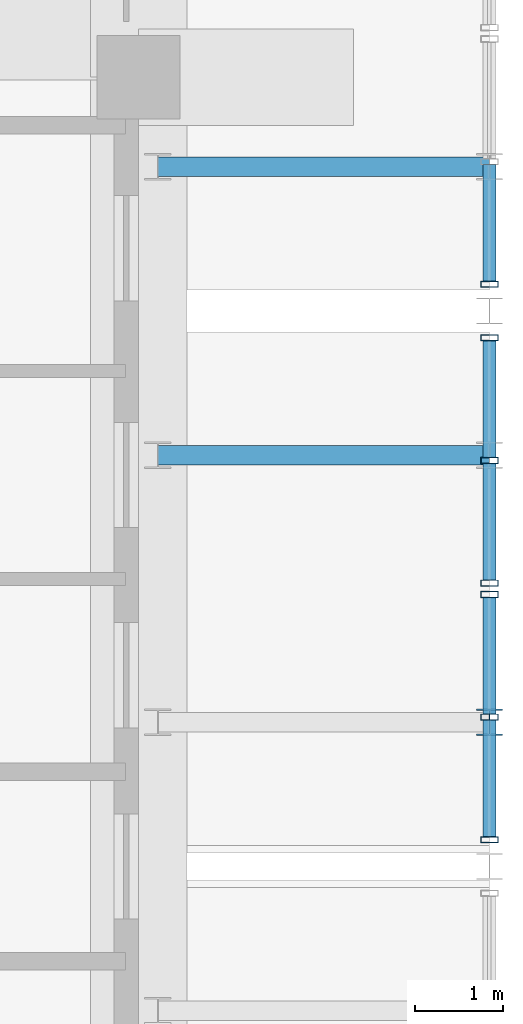
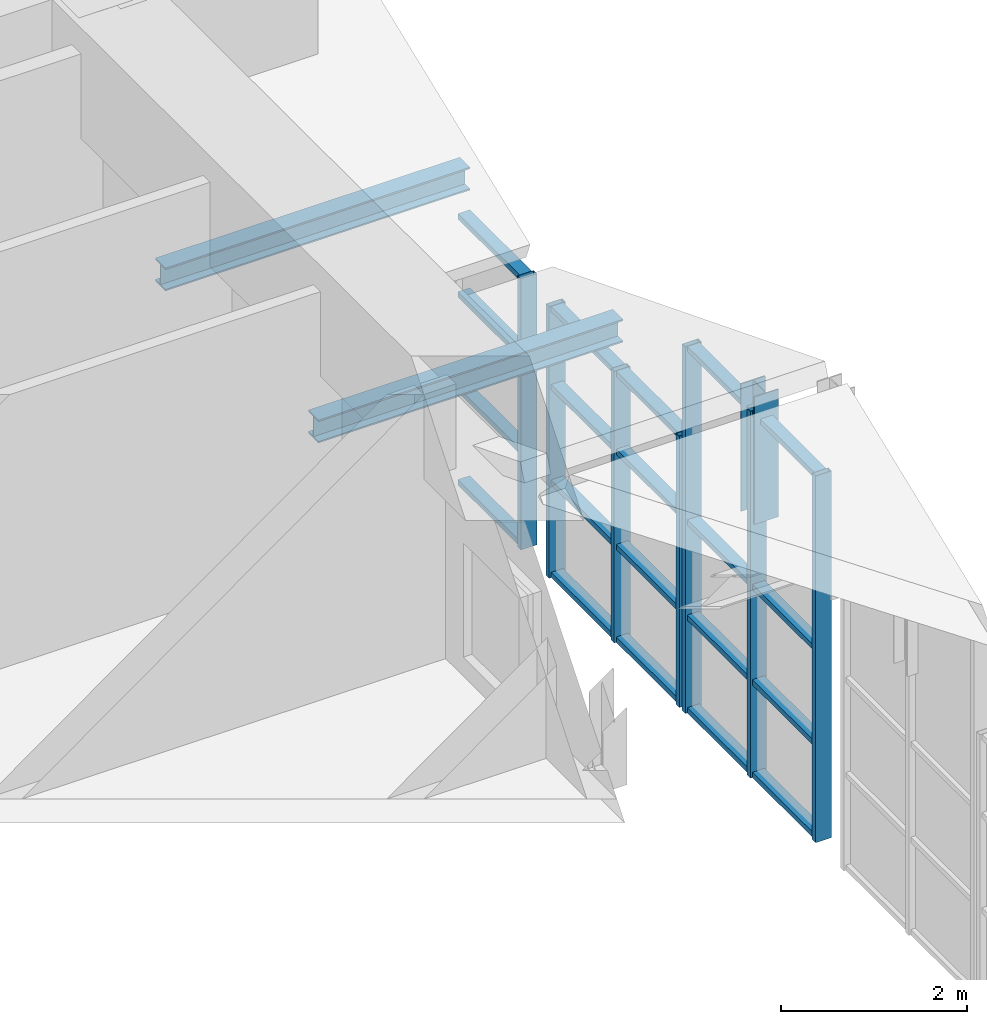
# One storey, part 18 of 45: 30 members, 3 elements without a shape of their own.
"""IFC4 building model written with IfcOpenShell, lengths in metres."""

from ifc_helpers import new_model, si_unit, direction, frame, origin, origin_2d, place, context, subcontext, project, spatial, hollow_rectangle, i_section, extrude, source, transform, mapped, material, layer, layer_set, material_profile, profile_set, type_object, element, aggregate, save


model = new_model("IFC4")

# Units and contexts
model_context = context("Model", 3, precision=1e-05, world=origin(), true_north=direction((0.0, 1.0)))
body_context = subcontext(model_context, "Body", "Model", "MODEL_VIEW")
ifc_project = project(units=[si_unit("LENGTHUNIT", "METRE"), si_unit("AREAUNIT", "SQUARE_METRE"), si_unit("VOLUMEUNIT", "CUBIC_METRE"), si_unit("PLANEANGLEUNIT", "RADIAN"), si_unit("MASSUNIT", "GRAM", prefix="KILO")], contexts=[model_context])

# Site, building, storey
site_placement = place(None, origin())
site = spatial("IfcSite", under=ifc_project, at=site_placement, CompositionType="ELEMENT")
building_placement = place(site_placement, origin())
building = spatial("IfcBuilding", under=site, at=building_placement, Name="Saelheon Loggia Tower", CompositionType="ELEMENT")
storey_placement = place(building_placement, frame((0.0, 0.0, 152.199951171875)))
storey = spatial("IfcBuildingStorey", under=building, at=storey_placement, Name="L48", CompositionType="ELEMENT", Elevation=152.199951171875)

# Members
ifc_material_1 = material(Name="Steel SM355", Category="steel")
ifc_material_profile_1 = material_profile(ifc_material_1, i_section(OverallWidth=0.219970703125, OverallDepth=0.300048828125, WebThickness=0.011962890625, FlangeThickness=0.02001953125, at=origin_2d()), Name="H-300x220x12x20")
ifc_profile_set_1 = profile_set([ifc_material_profile_1], Name="Steel SM355")
member_type_1 = type_object("IfcMemberType", Name="Roof_ShoulderPurlin_RHS300", PredefinedType="PURLIN", material=ifc_profile_set_1)
shared_shape_1 = source(origin(), body_context, "Body", "SweptSolid", [
    extrude(i_section(OverallWidth=0.219970703125, OverallDepth=0.300048828125, WebThickness=0.011962890625, FlangeThickness=0.02001953125, at=origin_2d()), origin(), (0.0, 0.0, 1.0), 3.780029296875),
])
for number, where, z_axis, x_axis, name in (
    (1, (64.0, 31.6884765625, 0.6220703125), (-1.0, 0.0, 0.0), (0.0, -1.0, 0.0), "Tier 1 Wave Crest Rafter E 04 B"),
    (2, (64.0, 34.97802734375, 0.6220703125), (-1.0, 0.0, 0.0), (0.0, -1.0, 0.0), "Tier 1 Wave Crest Rafter E 05 A"),
):
    element("IfcMember", number, at=place(storey_placement, frame(where, z_axis=z_axis, x_axis=x_axis)), inside=storey, type_object=member_type_1, Name=name, PredefinedType="PURLIN", context=body_context, shape_type="MappedRepresentation", body=[
        mapped(shared_shape_1, transform((0.0, 0.0, 0.0), scale=1.0)),
    ])
ifc_material_profile_2 = material_profile(ifc_material_1, i_section(OverallWidth=0.300048828125, OverallDepth=0.300048828125, WebThickness=0.010009765625, FlangeThickness=0.014892578125, at=origin_2d()), Name="H-300x300x10x15")
ifc_profile_set_2 = profile_set([ifc_material_profile_2], Name="Steel SM355")
member_type_2 = type_object("IfcMemberType", Name="WaveCrest_Post_H300", PredefinedType="POST", material=ifc_profile_set_2)
shared_shape_2 = source(origin(), body_context, "Body", "SweptSolid", [
    extrude(i_section(OverallWidth=0.300048828125, OverallDepth=0.300048828125, WebThickness=0.010009765625, FlangeThickness=0.014892578125, at=origin_2d()), origin(), (0.0, 0.0, 1.0), 1.673583984375),
])
member_1_placement = place(storey_placement, frame((64.0, 28.644775390625, 0.0), z_axis=(0.0, 0.0, 1.0), x_axis=(1.0, 0.0, 0.0)))
element("IfcMember", 3, at=member_1_placement, inside=storey, type_object=member_type_2, Name="Tier 1 Rafter Outer Upper Post E 04", PredefinedType="POST", context=body_context, shape_type="MappedRepresentation", body=[
    mapped(shared_shape_2, transform((0.0, 0.0, 0.0), scale=1.0)),
])

# Curtain wall, members
ifc_material_2 = material(Name="Bronze-Anodised Aluminium and Fritted Ceramic Screen", Category="aluminium")
ifc_layer = layer(ifc_material_2, 0.219970703125)
ifc_layer_set = layer_set([ifc_layer], Name="Bronze-Anodised Aluminium and Fritted Ceramic Screen")
curtain_wall_type = type_object("IfcCurtainWallType", Name="CW_CrownScreen", PredefinedType="NOTDEFINED", material=ifc_layer_set)
curtain_wall_1_placement = place(storey_placement, origin())
curtain_wall_1 = element("IfcCurtainWall", 4, at=curtain_wall_1_placement, inside=storey, type_object=curtain_wall_type, Name="Tier 1 Wave Crest Glazing E 04-2", PredefinedType="NOTDEFINED")
ifc_material_3 = material(Name="Bronze-Anodised Aluminium 6063-T6", Category="aluminium")
ifc_material_profile_3 = material_profile(ifc_material_3, hollow_rectangle(XDim=0.070068359375, YDim=0.199951171875, WallThickness=0.0048828125, at=origin_2d()), Name="RHS-200x70x5")
ifc_profile_set_3 = profile_set([ifc_material_profile_3], Name="Bronze-Anodised Aluminium 6063-T6")
member_type_3 = type_object("IfcMemberType", Name="CW_CrownScreen_Mullion", PredefinedType="MULLION", material=ifc_profile_set_3)
shared_shape_3 = source(origin(), body_context, "Body", "SweptSolid", [
    extrude(hollow_rectangle(XDim=0.070068359375, YDim=0.199951171875, WallThickness=0.0048828125, at=origin_2d()), origin(), (0.0, 0.0, 1.0), 3.56005859375),
])
member_2_placement = place(storey_placement, frame((64.0, 30.231689453125, -3.449951171875), z_axis=(0.0, 0.0, 1.0), x_axis=(0.0, 1.0, 0.0)))
member_2 = element("IfcMember", 5, at=member_2_placement, type_object=member_type_3, Name="CW6 mullion 1", PredefinedType="MULLION", context=body_context, shape_type="MappedRepresentation", body=[
    mapped(shared_shape_3, transform((0.0, 0.0, 0.0), scale=1.0)),
])
member_3_placement = place(storey_placement, frame((64.0, 31.6298828125, -3.449951171875), z_axis=(0.0, 0.0, 1.0), x_axis=(0.0, 1.0, 0.0)))
member_3 = element("IfcMember", 6, at=member_3_placement, type_object=member_type_3, Name="CW6 mullion 2", PredefinedType="MULLION", context=body_context, shape_type="MappedRepresentation", body=[
    mapped(shared_shape_3, transform((0.0, 0.0, 0.0), scale=1.0)),
])
member_4_placement = place(storey_placement, frame((64.0, 33.0283203125, -3.449951171875), z_axis=(0.0, 0.0, 1.0), x_axis=(0.0, 1.0, 0.0)))
member_4 = element("IfcMember", 7, at=member_4_placement, type_object=member_type_3, Name="CW6 mullion 3", PredefinedType="MULLION", context=body_context, shape_type="MappedRepresentation", body=[
    mapped(shared_shape_3, transform((0.0, 0.0, 0.0), scale=1.0)),
])

# Curtain wall, member
curtain_wall_2_placement = place(storey_placement, origin())
curtain_wall_2 = element("IfcCurtainWall", 8, at=curtain_wall_2_placement, inside=storey, type_object=curtain_wall_type, Name="Tier 1 Wave Crest Glazing E 05-1", PredefinedType="NOTDEFINED")
member_5_placement = place(storey_placement, frame((64.0, 33.63818359375, -3.449951171875), z_axis=(0.0, 0.0, 1.0), x_axis=(0.0, 1.0, 0.0)))
member_5 = element("IfcMember", 9, at=member_5_placement, type_object=member_type_3, Name="CW6 mullion 1", PredefinedType="MULLION", context=body_context, shape_type="MappedRepresentation", body=[
    mapped(shared_shape_3, transform((0.0, 0.0, 0.0), scale=1.0)),
])

# Curtain wall, members
curtain_wall_3_placement = place(storey_placement, origin())
curtain_wall_3 = element("IfcCurtainWall", 10, at=curtain_wall_3_placement, inside=storey, type_object=curtain_wall_type, Name="Tier 1 Wave Crest Glazing E 04-1", PredefinedType="NOTDEFINED")
ifc_material_profile_4 = material_profile(ifc_material_3, hollow_rectangle(XDim=0.070068359375, YDim=0.14990234375, WallThickness=0.0048828125, at=origin_2d()), Name="RHS-150x70x5")
ifc_profile_set_4 = profile_set([ifc_material_profile_4], Name="Bronze-Anodised Aluminium 6063-T6")
member_type_4 = type_object("IfcMemberType", Name="CW_CrownScreen_Transom", PredefinedType="USERDEFINED", material=ifc_profile_set_4)
shared_shape_4 = source(origin(), body_context, "Body", "SweptSolid", [
    extrude(hollow_rectangle(XDim=0.070068359375, YDim=0.14990234375, WallThickness=0.0048828125, at=origin_2d()), origin(), (0.0, 0.0, 1.0), 1.328369140625),
])
member_6_placement = place(storey_placement, frame((64.0, 28.73828125, -3.4150390625), z_axis=(0.0, 1.0, 0.0), x_axis=(0.0, 0.0, 1.0)))
member_6 = element("IfcMember", 11, at=member_6_placement, type_object=member_type_4, Name="CW6 transom 2.1", ObjectType="TRANSOM", PredefinedType="USERDEFINED", context=body_context, shape_type="MappedRepresentation", body=[
    mapped(shared_shape_4, transform((0.0, 0.0, 0.0), scale=1.0)),
])
member_7_placement = place(storey_placement, frame((64.0, 28.73828125, -2.199951171875), z_axis=(0.0, 1.0, 0.0), x_axis=(0.0, 0.0, 1.0)))
member_7 = element("IfcMember", 12, at=member_7_placement, type_object=member_type_4, Name="CW6 transom 2.2", ObjectType="TRANSOM", PredefinedType="USERDEFINED", context=body_context, shape_type="MappedRepresentation", body=[
    mapped(shared_shape_4, transform((0.0, 0.0, 0.0), scale=1.0)),
])
member_8_placement = place(storey_placement, frame((64.0, 28.73828125, -0.949951171875), z_axis=(0.0, 1.0, 0.0), x_axis=(0.0, 0.0, 1.0)))
member_8 = element("IfcMember", 13, at=member_8_placement, type_object=member_type_4, Name="CW6 transom 2.3", ObjectType="TRANSOM", PredefinedType="USERDEFINED", context=body_context, shape_type="MappedRepresentation", body=[
    mapped(shared_shape_4, transform((0.0, 0.0, 0.0), scale=1.0)),
])
member_9_placement = place(storey_placement, frame((64.0, 28.73828125, 1.324951171875), z_axis=(0.0, 1.0, 0.0), x_axis=(0.0, 0.0, 1.0)))
member_9 = element("IfcMember", 14, at=member_9_placement, type_object=member_type_4, Name="CW6 transom 2.4", ObjectType="TRANSOM", PredefinedType="USERDEFINED", context=body_context, shape_type="MappedRepresentation", body=[
    mapped(shared_shape_4, transform((0.0, 0.0, 0.0), scale=1.0)),
])

# Member
member_10_placement = place(storey_placement, frame((64.0, 30.2666015625, -3.4150390625), z_axis=(0.0, 1.0, 0.0), x_axis=(0.0, 0.0, 1.0)))
member_10 = element("IfcMember", 15, at=member_10_placement, type_object=member_type_4, Name="CW6 transom 1.1", ObjectType="TRANSOM", PredefinedType="USERDEFINED", context=body_context, shape_type="MappedRepresentation", body=[
    mapped(shared_shape_4, transform((0.0, 0.0, 0.0), scale=1.0)),
])

member_11_placement = place(storey_placement, frame((64.0, 30.2666015625, -2.199951171875), z_axis=(0.0, 1.0, 0.0), x_axis=(0.0, 0.0, 1.0)))
member_11 = element("IfcMember", 16, at=member_11_placement, type_object=member_type_4, Name="CW6 transom 1.2", ObjectType="TRANSOM", PredefinedType="USERDEFINED", context=body_context, shape_type="MappedRepresentation", body=[
    mapped(shared_shape_4, transform((0.0, 0.0, 0.0), scale=1.0)),
])

member_12_placement = place(storey_placement, frame((64.0, 30.2666015625, -0.949951171875), z_axis=(0.0, 1.0, 0.0), x_axis=(0.0, 0.0, 1.0)))
member_12 = element("IfcMember", 17, at=member_12_placement, type_object=member_type_4, Name="CW6 transom 1.3", ObjectType="TRANSOM", PredefinedType="USERDEFINED", context=body_context, shape_type="MappedRepresentation", body=[
    mapped(shared_shape_4, transform((0.0, 0.0, 0.0), scale=1.0)),
])

member_13_placement = place(storey_placement, frame((64.0, 30.2666015625, 0.074951171875), z_axis=(0.0, 1.0, 0.0), x_axis=(0.0, 0.0, 1.0)))
member_13 = element("IfcMember", 18, at=member_13_placement, type_object=member_type_4, Name="CW6 transom 1.4", ObjectType="TRANSOM", PredefinedType="USERDEFINED", context=body_context, shape_type="MappedRepresentation", body=[
    mapped(shared_shape_4, transform((0.0, 0.0, 0.0), scale=1.0)),
])

member_14_placement = place(storey_placement, frame((64.0, 31.6650390625, -3.4150390625), z_axis=(0.0, 1.0, 0.0), x_axis=(0.0, 0.0, 1.0)))
member_14 = element("IfcMember", 19, at=member_14_placement, type_object=member_type_4, Name="CW6 transom 2.1", ObjectType="TRANSOM", PredefinedType="USERDEFINED", context=body_context, shape_type="MappedRepresentation", body=[
    mapped(shared_shape_4, transform((0.0, 0.0, 0.0), scale=1.0)),
])

member_15_placement = place(storey_placement, frame((64.0, 31.6650390625, -2.199951171875), z_axis=(0.0, 1.0, 0.0), x_axis=(0.0, 0.0, 1.0)))
member_15 = element("IfcMember", 20, at=member_15_placement, type_object=member_type_4, Name="CW6 transom 2.2", ObjectType="TRANSOM", PredefinedType="USERDEFINED", context=body_context, shape_type="MappedRepresentation", body=[
    mapped(shared_shape_4, transform((0.0, 0.0, 0.0), scale=1.0)),
])

member_16_placement = place(storey_placement, frame((64.0, 31.6650390625, -0.949951171875), z_axis=(0.0, 1.0, 0.0), x_axis=(0.0, 0.0, 1.0)))
member_16 = element("IfcMember", 21, at=member_16_placement, type_object=member_type_4, Name="CW6 transom 2.3", ObjectType="TRANSOM", PredefinedType="USERDEFINED", context=body_context, shape_type="MappedRepresentation", body=[
    mapped(shared_shape_4, transform((0.0, 0.0, 0.0), scale=1.0)),
])

member_17_placement = place(storey_placement, frame((64.0, 31.6650390625, 0.074951171875), z_axis=(0.0, 1.0, 0.0), x_axis=(0.0, 0.0, 1.0)))
member_17 = element("IfcMember", 22, at=member_17_placement, type_object=member_type_4, Name="CW6 transom 2.4", ObjectType="TRANSOM", PredefinedType="USERDEFINED", context=body_context, shape_type="MappedRepresentation", body=[
    mapped(shared_shape_4, transform((0.0, 0.0, 0.0), scale=1.0)),
])

aggregate(curtain_wall_1, [member_2, member_3, member_4, member_10, member_11, member_12, member_13, member_14, member_15, member_16, member_17])

member_18_placement = place(storey_placement, frame((64.0, 33.67333984375, -3.4150390625), z_axis=(0.0, 1.0, 0.0), x_axis=(0.0, 0.0, 1.0)))
member_18 = element("IfcMember", 23, at=member_18_placement, type_object=member_type_4, Name="CW6 transom 1.1", ObjectType="TRANSOM", PredefinedType="USERDEFINED", context=body_context, shape_type="MappedRepresentation", body=[
    mapped(shared_shape_4, transform((0.0, 0.0, 0.0), scale=1.0)),
])

member_19_placement = place(storey_placement, frame((64.0, 33.67333984375, -2.199951171875), z_axis=(0.0, 1.0, 0.0), x_axis=(0.0, 0.0, 1.0)))
member_19 = element("IfcMember", 24, at=member_19_placement, type_object=member_type_4, Name="CW6 transom 1.2", ObjectType="TRANSOM", PredefinedType="USERDEFINED", context=body_context, shape_type="MappedRepresentation", body=[
    mapped(shared_shape_4, transform((0.0, 0.0, 0.0), scale=1.0)),
])

member_20_placement = place(storey_placement, frame((64.0, 33.67333984375, -0.949951171875), z_axis=(0.0, 1.0, 0.0), x_axis=(0.0, 0.0, 1.0)))
member_20 = element("IfcMember", 25, at=member_20_placement, type_object=member_type_4, Name="CW6 transom 1.3", ObjectType="TRANSOM", PredefinedType="USERDEFINED", context=body_context, shape_type="MappedRepresentation", body=[
    mapped(shared_shape_4, transform((0.0, 0.0, 0.0), scale=1.0)),
])

member_21_placement = place(storey_placement, frame((64.0, 33.67333984375, 0.074951171875), z_axis=(0.0, 1.0, 0.0), x_axis=(0.0, 0.0, 1.0)))
member_21 = element("IfcMember", 26, at=member_21_placement, type_object=member_type_4, Name="CW6 transom 1.4", ObjectType="TRANSOM", PredefinedType="USERDEFINED", context=body_context, shape_type="MappedRepresentation", body=[
    mapped(shared_shape_4, transform((0.0, 0.0, 0.0), scale=1.0)),
])

aggregate(curtain_wall_2, [member_5, member_18, member_19, member_20, member_21])

shared_shape_5 = source(origin(), body_context, "Body", "SweptSolid", [
    extrude(hollow_rectangle(XDim=0.070068359375, YDim=0.199951171875, WallThickness=0.0048828125, at=origin_2d()), origin(), (0.0, 0.0, 1.0), 4.81005859375),
])
member_22_placement = place(storey_placement, frame((64.0, 27.304931640625, -3.449951171875), z_axis=(0.0, 0.0, 1.0), x_axis=(0.0, 1.0, 0.0)))
member_22 = element("IfcMember", 27, at=member_22_placement, type_object=member_type_3, Name="CW6 mullion 1", PredefinedType="MULLION", context=body_context, shape_type="MappedRepresentation", body=[
    mapped(shared_shape_5, transform((0.0, 0.0, 0.0), scale=1.0)),
])

member_23_placement = place(storey_placement, frame((64.0, 28.703369140625, -3.449951171875), z_axis=(0.0, 0.0, 1.0), x_axis=(0.0, 1.0, 0.0)))
member_23 = element("IfcMember", 28, at=member_23_placement, type_object=member_type_3, Name="CW6 mullion 2", PredefinedType="MULLION", context=body_context, shape_type="MappedRepresentation", body=[
    mapped(shared_shape_5, transform((0.0, 0.0, 0.0), scale=1.0)),
])

member_24_placement = place(storey_placement, frame((64.0, 30.1015625, -3.449951171875), z_axis=(0.0, 0.0, 1.0), x_axis=(0.0, 1.0, 0.0)))
member_24 = element("IfcMember", 29, at=member_24_placement, type_object=member_type_3, Name="CW6 mullion 3", PredefinedType="MULLION", context=body_context, shape_type="MappedRepresentation", body=[
    mapped(shared_shape_5, transform((0.0, 0.0, 0.0), scale=1.0)),
])

shared_shape_6 = source(origin(), body_context, "Body", "SweptSolid", [
    extrude(hollow_rectangle(XDim=0.070068359375, YDim=0.14990234375, WallThickness=0.0048828125, at=origin_2d()), origin(), (0.0, 0.0, 1.0), 1.328125),
])
member_25_placement = place(storey_placement, frame((64.0, 27.340087890625, -3.4150390625), z_axis=(0.0, 1.0, 0.0), x_axis=(0.0, 0.0, 1.0)))
member_25 = element("IfcMember", 30, at=member_25_placement, type_object=member_type_4, Name="CW6 transom 1.1", ObjectType="TRANSOM", PredefinedType="USERDEFINED", context=body_context, shape_type="MappedRepresentation", body=[
    mapped(shared_shape_6, transform((0.0, 0.0, 0.0), scale=1.0)),
])

member_26_placement = place(storey_placement, frame((64.0, 27.340087890625, -2.199951171875), z_axis=(0.0, 1.0, 0.0), x_axis=(0.0, 0.0, 1.0)))
member_26 = element("IfcMember", 31, at=member_26_placement, type_object=member_type_4, Name="CW6 transom 1.2", ObjectType="TRANSOM", PredefinedType="USERDEFINED", context=body_context, shape_type="MappedRepresentation", body=[
    mapped(shared_shape_6, transform((0.0, 0.0, 0.0), scale=1.0)),
])

member_27_placement = place(storey_placement, frame((64.0, 27.340087890625, -0.949951171875), z_axis=(0.0, 1.0, 0.0), x_axis=(0.0, 0.0, 1.0)))
member_27 = element("IfcMember", 32, at=member_27_placement, type_object=member_type_4, Name="CW6 transom 1.3", ObjectType="TRANSOM", PredefinedType="USERDEFINED", context=body_context, shape_type="MappedRepresentation", body=[
    mapped(shared_shape_6, transform((0.0, 0.0, 0.0), scale=1.0)),
])

member_28_placement = place(storey_placement, frame((64.0, 27.340087890625, 1.324951171875), z_axis=(0.0, 1.0, 0.0), x_axis=(0.0, 0.0, 1.0)))
member_28 = element("IfcMember", 33, at=member_28_placement, type_object=member_type_4, Name="CW6 transom 1.4", ObjectType="TRANSOM", PredefinedType="USERDEFINED", context=body_context, shape_type="MappedRepresentation", body=[
    mapped(shared_shape_6, transform((0.0, 0.0, 0.0), scale=1.0)),
])

aggregate(curtain_wall_3, [member_22, member_23, member_24, member_25, member_26, member_27, member_28, member_6, member_7, member_8, member_9])

save(model, "model.ifc")
